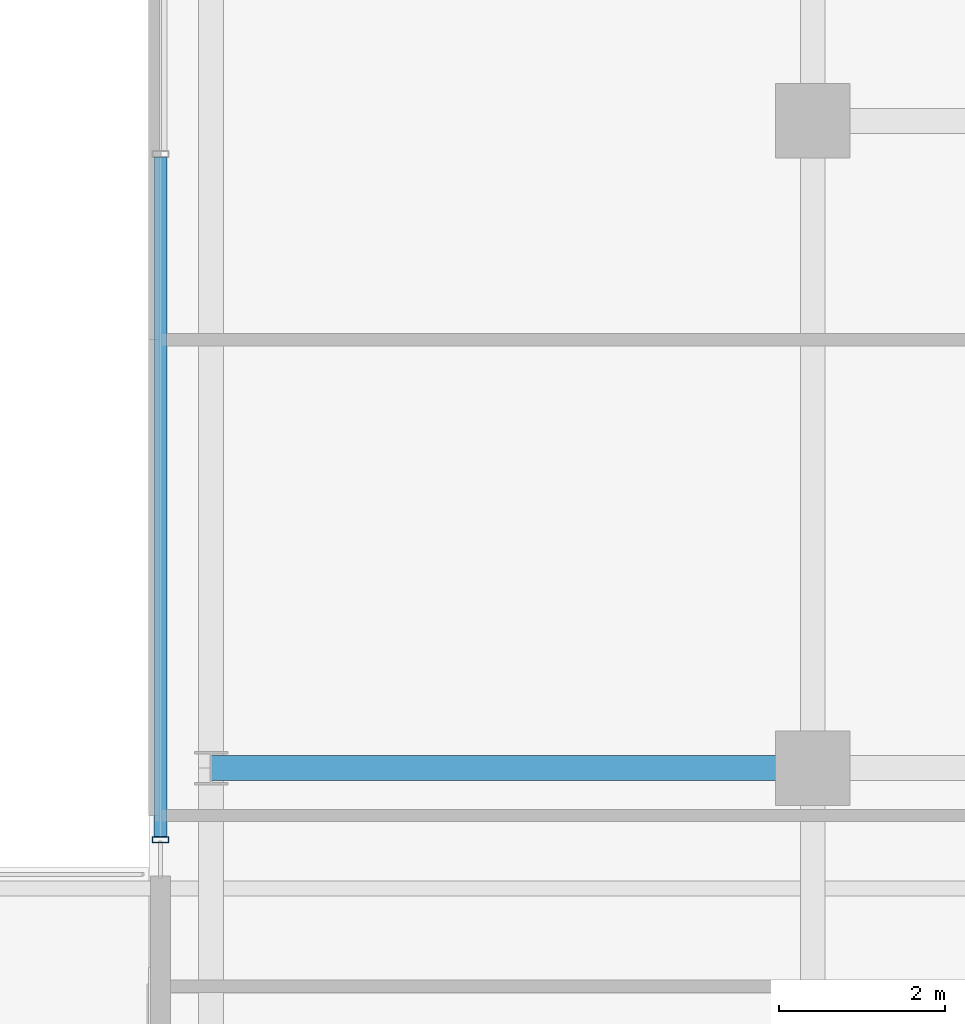
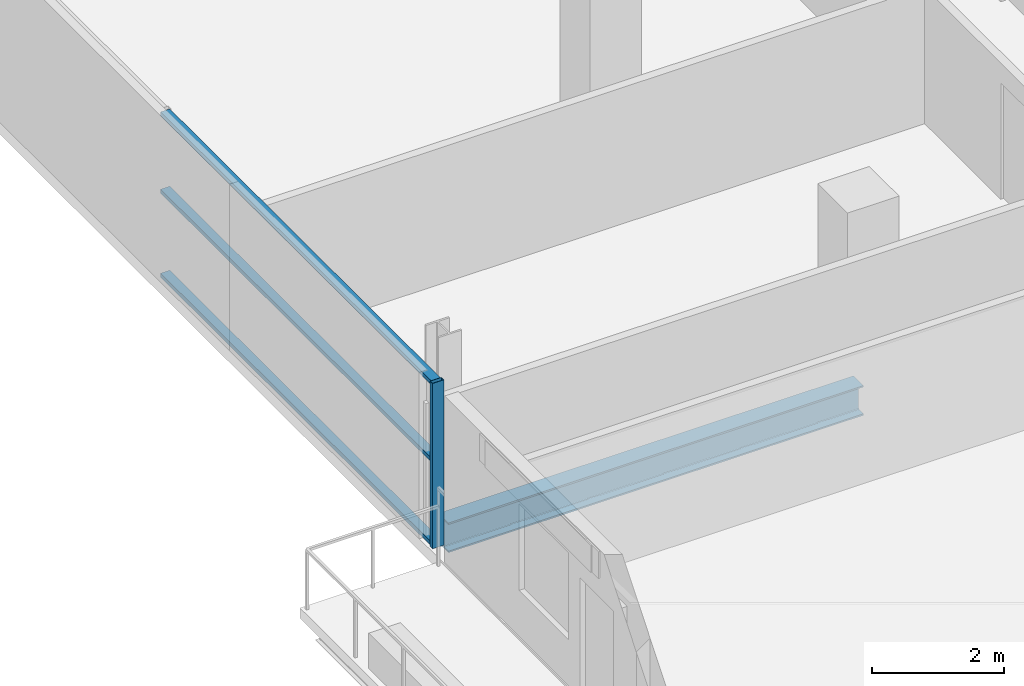
# One storey, part 6 of 28: 4 members, 1 beam, 1 element without a shape of its own.
"""IFC4 building model written with IfcOpenShell, lengths in metres."""

from ifc_helpers import new_model, si_unit, direction, frame, origin, origin_2d, place, context, subcontext, project, spatial, hollow_rectangle, i_section, extrude, source, transform, mapped, material, layer, layer_set, material_profile, profile_set, type_object, element, aggregate, save


model = new_model("IFC4")

# Units and contexts
model_context = context("Model", 3, precision=1e-05, world=origin(), true_north=direction((0.0, 1.0)))
body_context = subcontext(model_context, "Body", "Model", "MODEL_VIEW")
ifc_project = project(units=[si_unit("LENGTHUNIT", "METRE"), si_unit("AREAUNIT", "SQUARE_METRE"), si_unit("VOLUMEUNIT", "CUBIC_METRE"), si_unit("PLANEANGLEUNIT", "RADIAN"), si_unit("MASSUNIT", "GRAM", prefix="KILO")], contexts=[model_context])

# Site, building, storey
site_placement = place(None, origin())
site = spatial("IfcSite", under=ifc_project, at=site_placement, CompositionType="ELEMENT")
building_placement = place(site_placement, origin())
building = spatial("IfcBuilding", under=site, at=building_placement, Name="Zarnakvel Exchange Tower", CompositionType="ELEMENT")
storey_placement = place(building_placement, frame((0.0, 0.0, 90.10009765625)))
storey = spatial("IfcBuildingStorey", under=building, at=storey_placement, Name="L24", CompositionType="ELEMENT", Elevation=90.10009765625)

# Beam
ifc_material_1 = material(Name="Steel S355", Category="steel")
ifc_material_profile_1 = material_profile(ifc_material_1, i_section(OverallWidth=0.300048828125, OverallDepth=0.550048828125, WebThickness=0.014892578125, FlangeThickness=0.029052734375, FilletRadius=0.027099609375, at=origin_2d()))
ifc_profile_set_1 = profile_set([ifc_material_profile_1], Name="Steel S355")
beam_type = type_object("IfcBeamType", Name="G-05", PredefinedType="BEAM", material=ifc_profile_set_1)
beam_placement = place(storey_placement, frame((-28.85009765625, -1.199951171875, -0.5), z_axis=(1.0, 0.0, 0.0), x_axis=(0.0, 1.0, 0.0)))
element("IfcBeam", 1, at=beam_placement, inside=storey, type_object=beam_type, Name="L24 Tower E-W Frame Beam", PredefinedType="BEAM", context=body_context, shape_type="SweptSolid", body=[
    extrude(i_section(OverallWidth=0.300048828125, OverallDepth=0.550048828125, WebThickness=0.014892578125, FlangeThickness=0.029052734375, FilletRadius=0.027099609375, at=origin_2d()), origin(), (0.0, 0.0, 1.0), 7.25),
])

# Curtain wall, members
ifc_material_2 = material(Name="Architectural Bronze Anodised Aluminium", Category="aluminium")
ifc_layer = layer(ifc_material_2, 0.199951171875)
ifc_layer_set = layer_set([ifc_layer], Name="Architectural Bronze Anodised Aluminium")
curtain_wall_type = type_object("IfcCurtainWallType", Name="CW-04", PredefinedType="NOTDEFINED", material=ifc_layer_set)
curtain_wall_placement = place(storey_placement, origin())
curtain_wall = element("IfcCurtainWall", 2, at=curtain_wall_placement, inside=storey, type_object=curtain_wall_type, Name="L24 Curtain Wall CW-L24-WN (CW-04)", PredefinedType="NOTDEFINED")
ifc_material_profile_2 = material_profile(ifc_material_2, hollow_rectangle(XDim=0.199951171875, YDim=0.074951171875, WallThickness=0.0048828125, at=origin_2d()))
ifc_profile_set_2 = profile_set([ifc_material_profile_2], Name="Architectural Bronze Anodised Aluminium")
member_type_1 = type_object("IfcMemberType", Name="CWM-04", PredefinedType="MULLION", material=ifc_profile_set_2)
shared_shape_1 = source(origin(), body_context, "Body", "SweptSolid", [
    extrude(hollow_rectangle(XDim=0.199951171875, YDim=0.074951171875, WallThickness=0.0048828125, at=origin_2d()), origin(), (0.0, 0.0, 1.0), 3.054931640625),
])
member_1_placement = place(storey_placement, frame((-29.4599609375, -2.0625, 0.0), z_axis=(0.0, 0.0, 1.0), x_axis=(-1.0, 0.0, 0.0)))
member_1 = element("IfcMember", 3, at=member_1_placement, type_object=member_type_1, Name="CW-04 mullion 1", PredefinedType="MULLION", context=body_context, shape_type="MappedRepresentation", body=[
    mapped(shared_shape_1, transform((0.0, 0.0, 0.0), x_axis=(1.0, 0.0, 0.0), y_axis=(0.0, 1.0, 0.0), z_axis=(0.0, 0.0, 1.0), scale=1.0)),
])
ifc_material_profile_3 = material_profile(ifc_material_2, hollow_rectangle(XDim=0.159912109375, YDim=0.074951171875, WallThickness=0.00390625, at=origin_2d()))
ifc_profile_set_3 = profile_set([ifc_material_profile_3], Name="Architectural Bronze Anodised Aluminium")
member_type_2 = type_object("IfcMemberType", Name="CWT-04", PredefinedType="USERDEFINED", material=ifc_profile_set_3)
shared_shape_2 = source(origin(), body_context, "Body", "SweptSolid", [
    extrude(hollow_rectangle(XDim=0.159912109375, YDim=0.074951171875, WallThickness=0.00390625, at=origin_2d()), origin(), (0.0, 0.0, 1.0), 8.1875),
])
member_2_placement = place(storey_placement, frame((-29.4599609375, -2.02490234375, 0.037353515625), z_axis=(0.0, 1.0, 0.0), x_axis=(-1.0, 0.0, 0.0)))
member_2 = element("IfcMember", 4, at=member_2_placement, type_object=member_type_2, Name="CW-04 transom 1.1", ObjectType="TRANSOM", PredefinedType="USERDEFINED", context=body_context, shape_type="MappedRepresentation", body=[
    mapped(shared_shape_2, transform((0.0, 0.0, 0.0), x_axis=(1.0, 0.0, 0.0), y_axis=(0.0, 1.0, 0.0), z_axis=(0.0, 0.0, 1.0), scale=1.0)),
])
member_3_placement = place(storey_placement, frame((-29.4599609375, -2.02490234375, 1.588623046875), z_axis=(0.0, 1.0, 0.0), x_axis=(-1.0, 0.0, 0.0)))
member_3 = element("IfcMember", 5, at=member_3_placement, type_object=member_type_2, Name="CW-04 transom 1.2", ObjectType="TRANSOM", PredefinedType="USERDEFINED", context=body_context, shape_type="MappedRepresentation", body=[
    mapped(shared_shape_2, transform((0.0, 0.0, 0.0), x_axis=(1.0, 0.0, 0.0), y_axis=(0.0, 1.0, 0.0), z_axis=(0.0, 0.0, 1.0), scale=1.0)),
])
member_4_placement = place(storey_placement, frame((-29.4599609375, -2.02490234375, 3.017333984375), z_axis=(0.0, 1.0, 0.0), x_axis=(-1.0, 0.0, 0.0)))
member_4 = element("IfcMember", 6, at=member_4_placement, type_object=member_type_2, Name="CW-04 transom 1.3", ObjectType="TRANSOM", PredefinedType="USERDEFINED", context=body_context, shape_type="MappedRepresentation", body=[
    mapped(shared_shape_2, transform((0.0, 0.0, 0.0), x_axis=(1.0, 0.0, 0.0), y_axis=(0.0, 1.0, 0.0), z_axis=(0.0, 0.0, 1.0), scale=1.0)),
])
aggregate(curtain_wall, [member_1, member_2, member_3, member_4])

save(model, "model.ifc")
